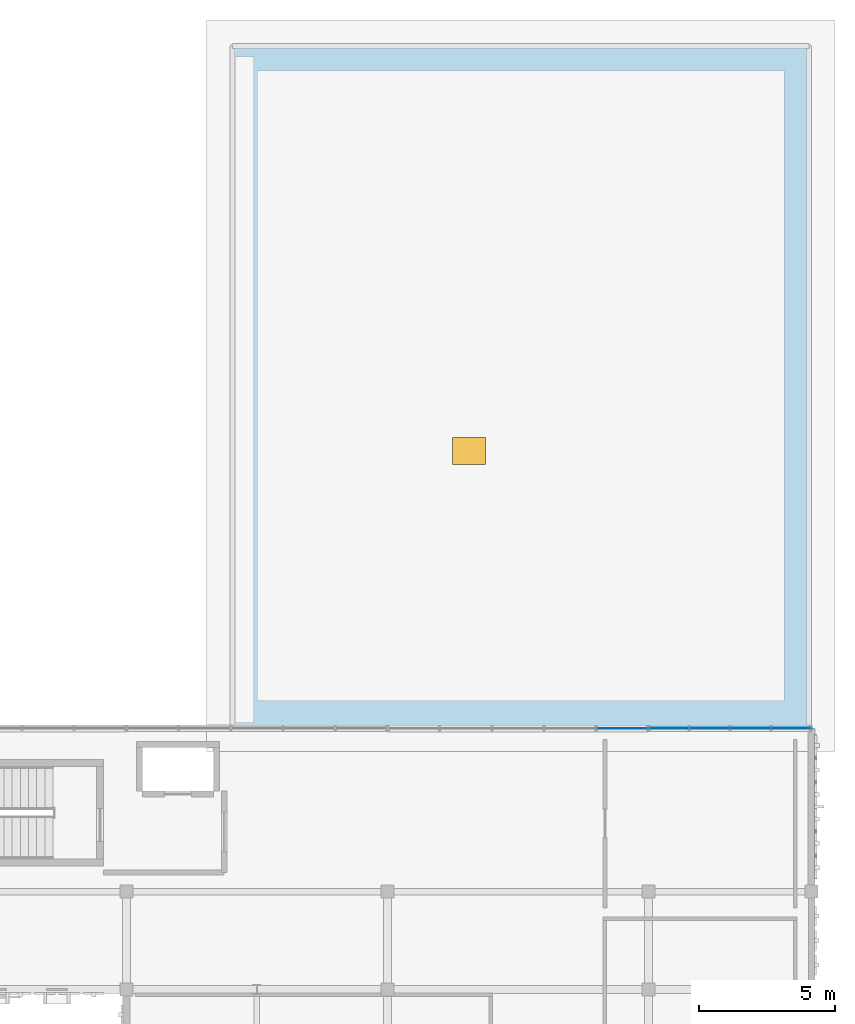
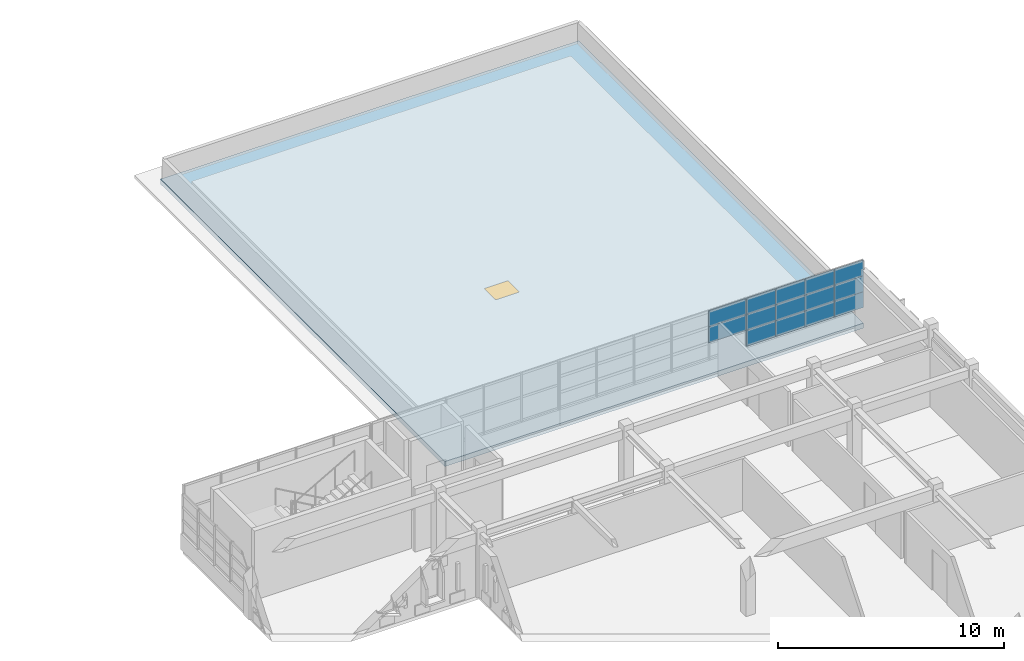
# One storey, part 23 of 53: 14 plates, 1 door, 1 slab, 1 opening, 2 elements without a shape of their own.
"""IFC4 building model written with IfcOpenShell, lengths in metres."""

from ifc_helpers import new_model, si_unit, direction, frame, origin, origin_2d, place, context, subcontext, project, spatial, polyline, rectangle, outline, extrude, material, layer, layer_set, type_object, element, fill, aggregate, save


model = new_model("IFC4")

# Units and contexts
model_context = context("Model", 3, precision=1e-05, world=origin(), true_north=direction((0.0, 1.0)))
body_context = subcontext(model_context, "Body", "Model", "MODEL_VIEW")
ifc_project = project(units=[si_unit("LENGTHUNIT", "METRE"), si_unit("AREAUNIT", "SQUARE_METRE"), si_unit("VOLUMEUNIT", "CUBIC_METRE"), si_unit("PLANEANGLEUNIT", "RADIAN"), si_unit("MASSUNIT", "GRAM", prefix="KILO")], contexts=[model_context])

# Site, building, storey
site_placement = place(None, origin())
site = spatial("IfcSite", under=ifc_project, at=site_placement, CompositionType="ELEMENT")
building_placement = place(site_placement, origin())
building = spatial("IfcBuilding", under=site, at=building_placement, Name="Nzembalo Square Collegiate School", CompositionType="ELEMENT")
storey_placement = place(building_placement, frame((0.0, 0.0, 13.60009765625)))
storey = spatial("IfcBuildingStorey", under=building, at=storey_placement, Name="L03", CompositionType="ELEMENT", Elevation=13.60009765625)

# Curtain wall, plates
ifc_material_1 = material(Name="Aluminium 6060-T66", Category="aluminium")
curtain_wall_type_1 = type_object("IfcCurtainWallType", Name="CW-09", PredefinedType="USERDEFINED", material=ifc_material_1)
curtain_wall_1_placement = place(storey_placement, origin())
curtain_wall_1 = element("IfcCurtainWall", 1, at=curtain_wall_1_placement, inside=storey, type_object=curtain_wall_type_1, Name="Curtain wall CW-09 cw:L03:124", ObjectType="UNITISED", PredefinedType="USERDEFINED")
ifc_material_2 = material(Name="Laminated solar-control double glazing", Category="glass")
ifc_layer_1 = layer(ifc_material_2, 0.028076171875, Name="Laminated solar-control double glazing")
ifc_layer_set_1 = layer_set([ifc_layer_1], Name="Laminated solar-control double glazing")
plate_type_1 = type_object("IfcPlateType", Name="PN01", PredefinedType="CURTAIN_PANEL", material=ifc_layer_set_1)
plate_1_placement = place(storey_placement, frame((158.639892578125, 88.800048828125, 1.71533203125), z_axis=(0.0, 0.0, 1.0), x_axis=(1.0, 0.0, 0.0)))
plate_1 = element("IfcPlate", 2, at=plate_1_placement, type_object=plate_type_1, Name="PN01 glazed panel 2-5", PredefinedType="CURTAIN_PANEL", context=body_context, shape_type="SweptSolid", body=[
    extrude(rectangle(XDim=1.912109375, YDim=0.028076171875, at=origin_2d()), origin(), (0.0, 0.0, 1.0), 0.853271484375),
])
plate_2_placement = place(storey_placement, frame((158.639892578125, 88.800048828125, 2.57666015625), z_axis=(0.0, 0.0, 1.0), x_axis=(1.0, 0.0, 0.0)))
plate_2 = element("IfcPlate", 3, at=plate_2_placement, type_object=plate_type_1, Name="PN01 glazed panel 3-5", PredefinedType="CURTAIN_PANEL", context=body_context, shape_type="SweptSolid", body=[
    extrude(rectangle(XDim=1.912109375, YDim=0.028076171875, at=origin_2d()), origin(), (0.0, 0.0, 1.0), 0.853271484375),
])
aggregate(curtain_wall_1, [plate_1, plate_2])

ifc_material_3 = material(Name="Aluminium 6060-T66", Category="aluminium")
curtain_wall_type_2 = type_object("IfcCurtainWallType", Name="CW-06", PredefinedType="USERDEFINED", material=ifc_material_3)
curtain_wall_2_placement = place(storey_placement, origin())
curtain_wall_2 = element("IfcCurtainWall", 4, at=curtain_wall_2_placement, inside=storey, type_object=curtain_wall_type_2, Name="Curtain wall CW-06 cw:L03:125", ObjectType="LANCET", PredefinedType="USERDEFINED")
ifc_material_4 = material(Name="Acoustic laminated solar-control glazing", Category="glass")
ifc_layer_2 = layer(ifc_material_4, 0.031982421875, Name="Acoustic laminated solar-control glazing")
ifc_layer_set_2 = layer_set([ifc_layer_2], Name="Acoustic laminated solar-control glazing")
plate_type_2 = type_object("IfcPlateType", Name="PN02", PredefinedType="CURTAIN_PANEL", material=ifc_layer_set_2)
plate_3_placement = place(storey_placement, frame((160.35009765625, 88.800048828125, 0.85400390625), z_axis=(0.0, 0.0, 1.0), x_axis=(1.0, 0.0, 0.0)))
plate_3 = element("IfcPlate", 5, at=plate_3_placement, type_object=plate_type_2, Name="PN02 glazed panel 1-1", PredefinedType="CURTAIN_PANEL", context=body_context, shape_type="SweptSolid", body=[
    extrude(rectangle(XDim=1.491943359375, YDim=0.031982421875, at=origin_2d()), origin(), (0.0, 0.0, 1.0), 0.853271484375),
])
plate_4_placement = place(storey_placement, frame((161.85009765625, 88.800048828125, 0.85400390625), z_axis=(0.0, 0.0, 1.0), x_axis=(1.0, 0.0, 0.0)))
plate_4 = element("IfcPlate", 6, at=plate_4_placement, type_object=plate_type_2, Name="PN02 glazed panel 1-2", PredefinedType="CURTAIN_PANEL", context=body_context, shape_type="SweptSolid", body=[
    extrude(rectangle(XDim=1.491943359375, YDim=0.031982421875, at=origin_2d()), origin(), (0.0, 0.0, 1.0), 0.853271484375),
])
plate_5_placement = place(storey_placement, frame((163.35009765625, 88.800048828125, 0.85400390625), z_axis=(0.0, 0.0, 1.0), x_axis=(1.0, 0.0, 0.0)))
plate_5 = element("IfcPlate", 7, at=plate_5_placement, type_object=plate_type_2, Name="PN02 glazed panel 1-3", PredefinedType="CURTAIN_PANEL", context=body_context, shape_type="SweptSolid", body=[
    extrude(rectangle(XDim=1.491943359375, YDim=0.031982421875, at=origin_2d()), origin(), (0.0, 0.0, 1.0), 0.853271484375),
])
plate_6_placement = place(storey_placement, frame((164.85009765625, 88.800048828125, 0.85400390625), z_axis=(0.0, 0.0, 1.0), x_axis=(1.0, 0.0, 0.0)))
plate_6 = element("IfcPlate", 8, at=plate_6_placement, type_object=plate_type_2, Name="PN02 glazed panel 1-4", PredefinedType="CURTAIN_PANEL", context=body_context, shape_type="SweptSolid", body=[
    extrude(rectangle(XDim=1.491943359375, YDim=0.031982421875, at=origin_2d()), origin(), (0.0, 0.0, 1.0), 0.853271484375),
])
plate_7_placement = place(storey_placement, frame((160.35009765625, 88.800048828125, 1.71533203125), z_axis=(0.0, 0.0, 1.0), x_axis=(1.0, 0.0, 0.0)))
plate_7 = element("IfcPlate", 9, at=plate_7_placement, type_object=plate_type_2, Name="PN02 glazed panel 2-1", PredefinedType="CURTAIN_PANEL", context=body_context, shape_type="SweptSolid", body=[
    extrude(rectangle(XDim=1.491943359375, YDim=0.031982421875, at=origin_2d()), origin(), (0.0, 0.0, 1.0), 0.853271484375),
])
plate_8_placement = place(storey_placement, frame((161.85009765625, 88.800048828125, 1.71533203125), z_axis=(0.0, 0.0, 1.0), x_axis=(1.0, 0.0, 0.0)))
plate_8 = element("IfcPlate", 10, at=plate_8_placement, type_object=plate_type_2, Name="PN02 glazed panel 2-2", PredefinedType="CURTAIN_PANEL", context=body_context, shape_type="SweptSolid", body=[
    extrude(rectangle(XDim=1.491943359375, YDim=0.031982421875, at=origin_2d()), origin(), (0.0, 0.0, 1.0), 0.853271484375),
])
plate_9_placement = place(storey_placement, frame((163.35009765625, 88.800048828125, 1.71533203125), z_axis=(0.0, 0.0, 1.0), x_axis=(1.0, 0.0, 0.0)))
plate_9 = element("IfcPlate", 11, at=plate_9_placement, type_object=plate_type_2, Name="PN02 glazed panel 2-3", PredefinedType="CURTAIN_PANEL", context=body_context, shape_type="SweptSolid", body=[
    extrude(rectangle(XDim=1.491943359375, YDim=0.031982421875, at=origin_2d()), origin(), (0.0, 0.0, 1.0), 0.853271484375),
])
plate_10_placement = place(storey_placement, frame((164.85009765625, 88.800048828125, 1.71533203125), z_axis=(0.0, 0.0, 1.0), x_axis=(1.0, 0.0, 0.0)))
plate_10 = element("IfcPlate", 12, at=plate_10_placement, type_object=plate_type_2, Name="PN02 glazed panel 2-4", PredefinedType="CURTAIN_PANEL", context=body_context, shape_type="SweptSolid", body=[
    extrude(rectangle(XDim=1.491943359375, YDim=0.031982421875, at=origin_2d()), origin(), (0.0, 0.0, 1.0), 0.853271484375),
])
plate_11_placement = place(storey_placement, frame((160.35009765625, 88.800048828125, 2.57666015625), z_axis=(0.0, 0.0, 1.0), x_axis=(1.0, 0.0, 0.0)))
plate_11 = element("IfcPlate", 13, at=plate_11_placement, type_object=plate_type_2, Name="PN02 glazed panel 3-1", PredefinedType="CURTAIN_PANEL", context=body_context, shape_type="SweptSolid", body=[
    extrude(rectangle(XDim=1.491943359375, YDim=0.031982421875, at=origin_2d()), origin(), (0.0, 0.0, 1.0), 0.853271484375),
])
plate_12_placement = place(storey_placement, frame((161.85009765625, 88.800048828125, 2.57666015625), z_axis=(0.0, 0.0, 1.0), x_axis=(1.0, 0.0, 0.0)))
plate_12 = element("IfcPlate", 14, at=plate_12_placement, type_object=plate_type_2, Name="PN02 glazed panel 3-2", PredefinedType="CURTAIN_PANEL", context=body_context, shape_type="SweptSolid", body=[
    extrude(rectangle(XDim=1.491943359375, YDim=0.031982421875, at=origin_2d()), origin(), (0.0, 0.0, 1.0), 0.853271484375),
])
plate_13_placement = place(storey_placement, frame((163.35009765625, 88.800048828125, 2.57666015625), z_axis=(0.0, 0.0, 1.0), x_axis=(1.0, 0.0, 0.0)))
plate_13 = element("IfcPlate", 15, at=plate_13_placement, type_object=plate_type_2, Name="PN02 glazed panel 3-3", PredefinedType="CURTAIN_PANEL", context=body_context, shape_type="SweptSolid", body=[
    extrude(rectangle(XDim=1.491943359375, YDim=0.031982421875, at=origin_2d()), origin(), (0.0, 0.0, 1.0), 0.853271484375),
])
plate_14_placement = place(storey_placement, frame((164.85009765625, 88.800048828125, 2.57666015625), z_axis=(0.0, 0.0, 1.0), x_axis=(1.0, 0.0, 0.0)))
plate_14 = element("IfcPlate", 16, at=plate_14_placement, type_object=plate_type_2, Name="PN02 glazed panel 3-4", PredefinedType="CURTAIN_PANEL", context=body_context, shape_type="SweptSolid", body=[
    extrude(rectangle(XDim=1.491943359375, YDim=0.031982421875, at=origin_2d()), origin(), (0.0, 0.0, 1.0), 0.853271484375),
])
aggregate(curtain_wall_2, [plate_3, plate_4, plate_5, plate_6, plate_7, plate_8, plate_9, plate_10, plate_11, plate_12, plate_13, plate_14])

# Slab, opening, door
ifc_material_5 = material(Name="CLT CL24", Category="wood")
ifc_layer_3 = layer(ifc_material_5, 0.27001953125, Name="CLT CL24")
ifc_layer_set_3 = layer_set([ifc_layer_3], Name="CLT CL24")
slab_type = type_object("IfcSlabType", Name="RS-F27", PredefinedType="ROOF", material=ifc_layer_set_3)
slab_placement = place(storey_placement, frame((0.0, 0.0, -0.27001953125)))
slab = element("IfcSlab", 17, at=slab_placement, inside=storey, type_object=slab_type, Name="Step roof slab RS-L03-EN", PredefinedType="ROOF", context=body_context, shape_type="SweptSolid", body=[
    extrude(outline(polyline([(144.199951171875, 88.800048828125), (165.60009765625, 88.800048828125), (165.60009765625, 114.0), (144.199951171875, 114.0), (144.199951171875, 88.800048828125)])), origin(), (0.0, 0.0, 1.0), 0.27001953125),
])
opening_placement = place(slab_placement, frame((153.0, 99.0, -0.010009765625)))
opening = element("IfcOpeningElement", 18, at=opening_placement, cuts=slab, Name="Opening HD-04", PredefinedType="OPENING", context=body_context, shape_type="SweptSolid", body=[
    extrude(rectangle(XDim=1.199951171875, YDim=1.0, at=origin_2d()), origin(), (0.0, 0.0, 1.0), 0.2900390625),
])
ifc_material_6 = material(Name="Insulated galvanised steel", Category="steel")
door_type = type_object("IfcDoorType", Name="RH02", OperationType="SINGLE_SWING_LEFT", PredefinedType="TRAPDOOR", material=ifc_material_6)
door_placement = place(slab_placement, frame((153.0, 99.0, 0.2099609375)))
door = element("IfcDoor", 19, at=door_placement, inside=storey, type_object=door_type, Name="Roof access hatch HD-04", OperationType="SINGLE_SWING_LEFT", OverallHeight=1.0, OverallWidth=1.199951171875, PredefinedType="TRAPDOOR", context=body_context, shape_type="SweptSolid", body=[
    extrude(rectangle(XDim=1.199951171875, YDim=1.0, at=origin_2d()), origin(), (0.0, 0.0, 1.0), 0.06005859375),
])
fill(opening, door)

save(model, "model.ifc")
